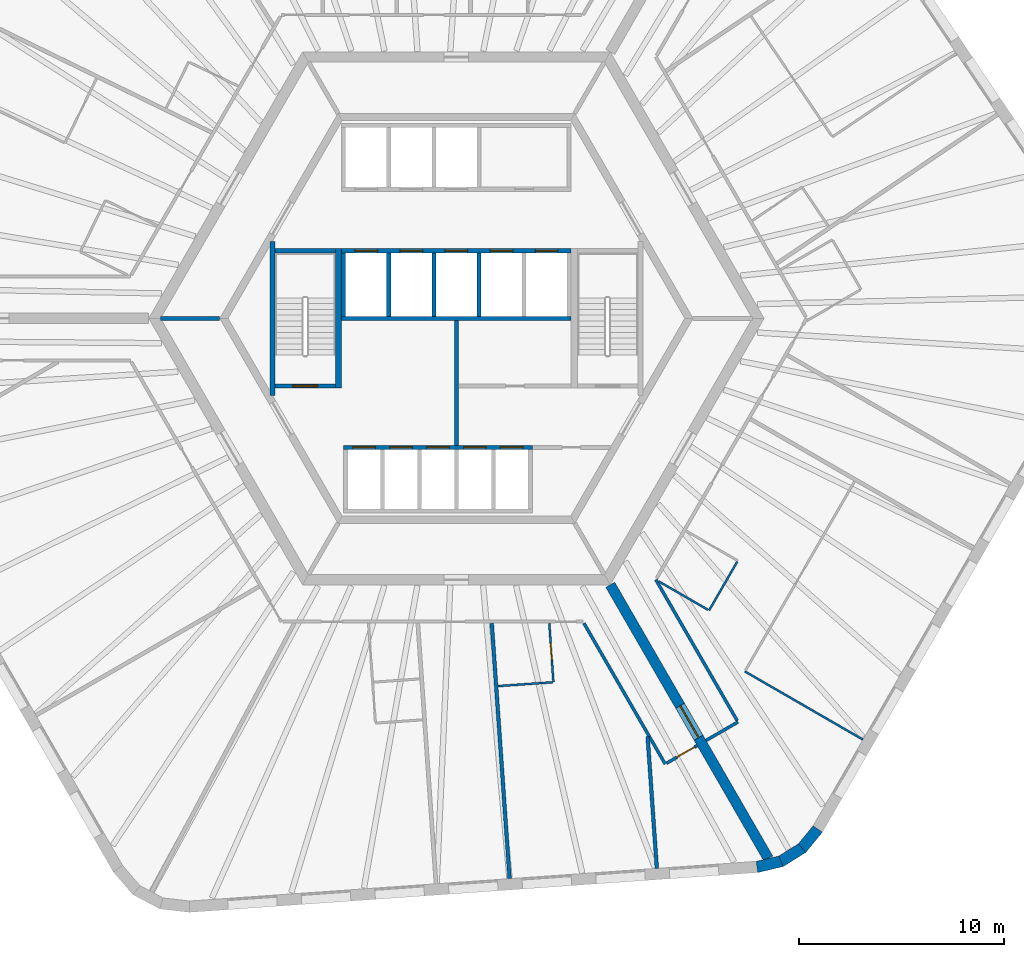
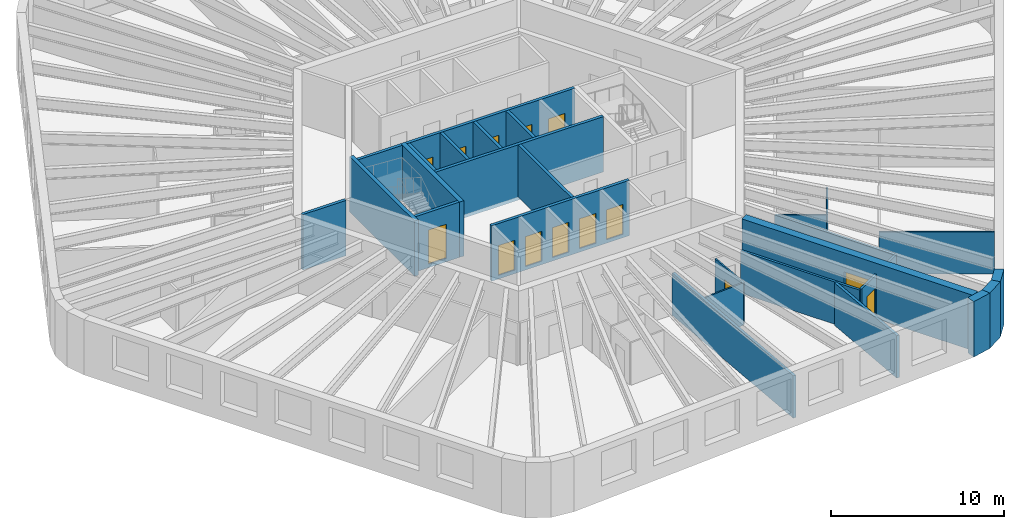
# One storey, part 4 of 9: 28 walls, 14 doors, 14 openings.
"""IFC4 building model written with IfcOpenShell, lengths in metres."""

from ifc_helpers import new_model, si_unit, direction, frame, frame_2d, origin, place, context, subcontext, project, spatial, polyline, rectangle, outline, extrude, material, layer, layer_set, type_object, element, fill, save


model = new_model("IFC4")

# Units and contexts
model_context = context("Model", 3, precision=1e-05, world=origin(), true_north=direction((0.0, 1.0)))
body_context = subcontext(model_context, "Body", "Model", "MODEL_VIEW")
ifc_project = project(units=[si_unit("LENGTHUNIT", "METRE"), si_unit("AREAUNIT", "SQUARE_METRE"), si_unit("VOLUMEUNIT", "CUBIC_METRE"), si_unit("PLANEANGLEUNIT", "RADIAN"), si_unit("MASSUNIT", "GRAM", prefix="KILO")], contexts=[model_context])

# Site, building, storey
site_placement = place(None, origin())
site = spatial("IfcSite", under=ifc_project, at=site_placement, CompositionType="ELEMENT")
building_placement = place(site_placement, origin())
building = spatial("IfcBuilding", under=site, at=building_placement, Name="Tarnside Tower", CompositionType="ELEMENT")
storey_placement = place(building_placement, frame((0.0, 0.0, 222.89990234375)))
storey = spatial("IfcBuildingStorey", under=building, at=storey_placement, Name="L53", CompositionType="ELEMENT", Elevation=222.89990234375)

# Wall, opening, door
ifc_material_1 = material(Name="Gypsum board partition on steel studs", Category="steel")
ifc_layer_1 = layer(ifc_material_1, 0.10009765625)
ifc_layer_set_1 = layer_set([ifc_layer_1], Name="Bathroom wall 100")
wall_type_1 = type_object("IfcWallType", Name="Bathroom wall 100", PredefinedType="PARTITIONING", material=ifc_layer_set_1)
wall_1_placement = place(storey_placement, frame((4.53076171875, -14.875, 0.0), z_axis=(0.0, 0.0, 1.0), x_axis=(0.069743215787, -0.997564977258, 0.0)))
wall_1 = element("IfcWall", 1, at=wall_1_placement, inside=storey, type_object=wall_type_1, Name="Bathroom wall 17078", PredefinedType="PARTITIONING", context=body_context, shape_type="SweptSolid", body=[
    extrude(rectangle(XDim=2.884521484375, YDim=0.10009765625, at=frame_2d((1.4423828125, 0.0))), origin(), (0.0, 0.0, 1.0), 2.98779296875),
])
opening_1_placement = place(wall_1_placement, frame((0.984619140625, 0.0, 0.0)))
opening_1 = element("IfcOpeningElement", 2, at=opening_1_placement, cuts=wall_1, Name="Opening D-B1", PredefinedType="OPENING", context=body_context, shape_type="SweptSolid", body=[
    extrude(rectangle(XDim=0.800048828125, YDim=2.10009765625, at=frame_2d((0.39990234375, 1.050048828125))), frame((0.0, 0.06005859375, 0.0), z_axis=(0.0, -1.0, 0.0), x_axis=(1.0, 0.0, 0.0)), (0.0, 0.0, 1.0), 0.1201171875),
])
ifc_material_2 = material(Name="Timber door leaf", Category="wood")
door_type_1 = type_object("IfcDoorType", Name="Bathroom door 800", OperationType="NOTDEFINED", PredefinedType="DOOR", material=ifc_material_2)
door_1_placement = place(opening_1_placement, origin())
door_1 = element("IfcDoor", 3, at=door_1_placement, inside=storey, type_object=door_type_1, Name="Bathroom door 17021", OperationType="SINGLE_SWING_RIGHT", OverallHeight=2.10009765625, OverallWidth=0.800048828125, PredefinedType="DOOR", context=body_context, shape_type="SweptSolid", body=[
    extrude(rectangle(XDim=0.800048828125, YDim=2.10009765625, at=frame_2d((0.39990234375, 1.050048828125))), frame((0.0, 0.02490234375, 0.0), z_axis=(0.0, -1.0, 0.0), x_axis=(1.0, 0.0, 0.0)), (0.0, 0.0, 1.0), 0.050048828125),
])
fill(opening_1, door_1)

# Walls
wall_2_placement = place(storey_placement, frame((4.68212890625, -17.756103515625, 0.0), z_axis=(0.0, 0.0, 1.0), x_axis=(-0.997564270717, -0.069753320981, 0.0)))
element("IfcWall", 4, at=wall_2_placement, inside=storey, type_object=wall_type_1, Name="Bathroom wall 17079", PredefinedType="PARTITIONING", context=body_context, shape_type="SweptSolid", body=[
    extrude(rectangle(XDim=2.66015625, YDim=0.10009765625, at=frame_2d((1.330078125, 0.0))), origin(), (0.0, 0.0, 1.0), 2.98779296875),
])
wall_3_placement = place(storey_placement, frame((13.701416015625, -11.868408203125, 0.0), z_axis=(0.0, 0.0, 1.0), x_axis=(-0.499996545922, -0.866027397988, 0.0)))
element("IfcWall", 5, at=wall_3_placement, inside=storey, type_object=wall_type_1, Name="Bathroom wall 17082", PredefinedType="PARTITIONING", context=body_context, shape_type="SweptSolid", body=[
    extrude(rectangle(XDim=2.75, YDim=0.10009765625, at=frame_2d((1.375, 0.0))), origin(), (0.0, 0.0, 1.0), 2.98779296875),
])
wall_4_placement = place(storey_placement, frame((12.283203125, -14.22509765625, 0.0), z_axis=(0.0, 0.0, 1.0), x_axis=(-0.866018616679, 0.500011755427, 0.0)))
element("IfcWall", 6, at=wall_4_placement, inside=storey, type_object=wall_type_1, Name="Bathroom wall 17083", PredefinedType="PARTITIONING", context=body_context, shape_type="SweptSolid", body=[
    extrude(rectangle(XDim=2.80029296875, YDim=0.10009765625, at=frame_2d((1.400146484375, 0.0))), origin(), (0.0, 0.0, 1.0), 2.98779296875),
])
ifc_material_3 = material(Name="Concrete C40/50", Category="concrete")
ifc_layer_2 = layer(ifc_material_3, 0.199951171875)
ifc_layer_set_2 = layer_set([ifc_layer_2], Name="Core room partition 200 C40/50")
wall_type_2 = type_object("IfcWallType", Name="Core room partition 200 C40/50", PredefinedType="PARTITIONING", material=ifc_layer_set_2)
wall_5_placement = place(storey_placement, frame((0.0, -6.199951171875, 0.0), z_axis=(0.0, 0.0, 1.0), x_axis=(0.0, 1.0, 0.0)))
element("IfcWall", 7, at=wall_5_placement, inside=storey, type_object=wall_type_2, Name="L53 core partition X0", PredefinedType="PARTITIONING", context=body_context, shape_type="SweptSolid", body=[
    extrude(rectangle(XDim=6.099853515625, YDim=0.199951171875, at=frame_2d((3.0498046875, 0.0))), origin(), (0.0, 0.0, 1.0), 3.650146484375),
])

# Wall, opening, door
ifc_material_4 = material(Name="Concrete C70/85", Category="concrete")
ifc_layer_3 = layer(ifc_material_4, 0.5)
ifc_layer_set_3 = layer_set([ifc_layer_3], Name="Core wall Z2 500 C70/85")
wall_type_3 = type_object("IfcWallType", Name="Core wall Z2 500 C70/85", PredefinedType="SHEAR", material=ifc_layer_set_3)
wall_6_placement = place(storey_placement, frame((7.505615234375, -13.0, -0.14990234375), z_axis=(0.0, 0.0, 1.0), x_axis=(0.499988271576, -0.866032175087, 0.0)))
wall_6 = element("IfcWall", 8, at=wall_6_placement, inside=storey, type_object=wall_type_3, Name="L53 spine wall 3", PredefinedType="SHEAR", context=body_context, shape_type="SweptSolid", body=[
    extrude(rectangle(XDim=15.423583984375, YDim=0.5, at=frame_2d((7.7119140625, 0.0))), origin(), (0.0, 0.0, 1.0), 3.89990234375),
])
opening_2_placement = place(wall_6_placement, frame((6.811767578125, 0.0, 0.14990234375)))
opening_2 = element("IfcOpeningElement", 9, at=opening_2_placement, cuts=wall_6, Name="Opening CD-SPN", PredefinedType="OPENING", context=body_context, shape_type="SweptSolid", body=[
    extrude(rectangle(XDim=1.800048828125, YDim=2.39990234375, at=frame_2d((0.89990234375, 1.199951171875))), frame((0.0, 0.260009765625, 0.0), z_axis=(0.0, -1.0, 0.0), x_axis=(1.0, 0.0, 0.0)), (0.0, 0.0, 1.0), 0.52001953125),
])
ifc_material_5 = material(Name="Steel fire door", Category="steel")
door_type_2 = type_object("IfcDoorType", Name="Spine passage double door FD60 1800x2400", OperationType="NOTDEFINED", PredefinedType="DOOR", material=ifc_material_5)
door_2_placement = place(opening_2_placement, origin())
door_2 = element("IfcDoor", 10, at=door_2_placement, inside=storey, type_object=door_type_2, Name="L53 spine passage door 3", OperationType="DOUBLE_DOOR_SINGLE_SWING", OverallHeight=2.39990234375, OverallWidth=1.800048828125, PredefinedType="DOOR", context=body_context, shape_type="SweptSolid", body=[
    extrude(rectangle(XDim=1.800048828125, YDim=2.39990234375, at=frame_2d((0.89990234375, 1.199951171875))), frame((0.0, 0.02490234375, 0.0), z_axis=(0.0, -1.0, 0.0), x_axis=(1.0, 0.0, 0.0)), (0.0, 0.0, 1.0), 0.050048828125),
])
fill(opening_2, door_2)

# Wall
ifc_layer_4 = layer(ifc_material_1, 0.14990234375)
ifc_layer_set_4 = layer_set([ifc_layer_4], Name="Corridor wall 150 EI 60")
wall_type_4 = type_object("IfcWallType", Name="Corridor wall 150 EI 60", PredefinedType="PARTITIONING", material=ifc_layer_set_4)
wall_7_placement = place(storey_placement, frame((6.220947265625, -14.875, 0.0), z_axis=(0.0, 0.0, 1.0), x_axis=(0.499989830942, -0.866031274813, 0.0)))
element("IfcWall", 11, at=wall_7_placement, inside=storey, type_object=wall_type_4, Name="Corridor wall 17027", PredefinedType="PARTITIONING", context=body_context, shape_type="SweptSolid", body=[
    extrude(rectangle(XDim=7.930419921875, YDim=0.14990234375, at=frame_2d((3.96533203125, 0.0))), origin(), (0.0, 0.0, 1.0), 2.98779296875),
])

# Wall, opening, door
wall_8_placement = place(storey_placement, frame((10.2509765625, -21.705322265625, 0.0), z_axis=(0.0, 0.0, 1.0), x_axis=(0.866013532718, 0.500020560727, 0.0)))
wall_8 = element("IfcWall", 12, at=wall_8_placement, inside=storey, type_object=wall_type_4, Name="Corridor wall 17030", PredefinedType="PARTITIONING", context=body_context, shape_type="SweptSolid", body=[
    extrude(rectangle(XDim=1.72509765625, YDim=0.14990234375, at=frame_2d((0.862548828125, 0.0))), origin(), (0.0, 0.0, 1.0), 2.98779296875),
])
opening_3_placement = place(wall_8_placement, frame((0.574951171875, 0.0, 0.0)))
opening_3 = element("IfcOpeningElement", 13, at=opening_3_placement, cuts=wall_8, Name="Opening D-E1", PredefinedType="OPENING", context=body_context, shape_type="SweptSolid", body=[
    extrude(rectangle(XDim=1.0, YDim=2.10009765625, at=frame_2d((0.5, 1.050048828125))), frame((0.0, 0.0849609375, 0.0), z_axis=(0.0, -1.0, 0.0), x_axis=(1.0, 0.0, 0.0)), (0.0, 0.0, 1.0), 0.169921875),
])
door_type_3 = type_object("IfcDoorType", Name="Unit entrance door 1000 FD30S", OperationType="NOTDEFINED", PredefinedType="DOOR", material=ifc_material_2)
door_3_placement = place(opening_3_placement, origin())
door_3 = element("IfcDoor", 14, at=door_3_placement, inside=storey, type_object=door_type_3, Name="Unit door 17022", OperationType="SINGLE_SWING_LEFT", OverallHeight=2.10009765625, OverallWidth=1.0, PredefinedType="DOOR", context=body_context, shape_type="SweptSolid", body=[
    extrude(rectangle(XDim=1.0, YDim=2.10009765625, at=frame_2d((0.5, 1.050048828125))), frame((0.0, 0.02490234375, 0.0), z_axis=(0.0, -1.0, 0.0), x_axis=(1.0, 0.0, 0.0)), (0.0, 0.0, 1.0), 0.050048828125),
])
fill(opening_3, door_3)

# Walls
wall_9_placement = place(storey_placement, frame((12.177978515625, -20.5927734375, 0.0), z_axis=(0.0, 0.0, 1.0), x_axis=(0.866047807691, 0.499961193289, 0.0)))
element("IfcWall", 15, at=wall_9_placement, inside=storey, type_object=wall_type_4, Name="Corridor wall 17031", PredefinedType="PARTITIONING", context=body_context, shape_type="SweptSolid", body=[
    extrude(rectangle(XDim=1.800048828125, YDim=0.14990234375, at=frame_2d((0.89990234375, 0.0))), origin(), (0.0, 0.0, 1.0), 2.98779296875),
])
wall_10_placement = place(storey_placement, frame((13.69921875, -19.6279296875, 0.0), z_axis=(0.0, 0.0, 1.0), x_axis=(-0.499997422768, 0.866026891745, 0.0)))
element("IfcWall", 16, at=wall_10_placement, inside=storey, type_object=wall_type_4, Name="Corridor wall 17032", PredefinedType="PARTITIONING", context=body_context, shape_type="SweptSolid", body=[
    extrude(rectangle(XDim=7.94189453125, YDim=0.14990234375, at=frame_2d((3.970947265625, 0.0))), origin(), (0.0, 0.0, 1.0), 2.98779296875),
])
ifc_layer_5 = layer(ifc_material_1, 0.179931640625)
ifc_layer_set_5 = layer_set([ifc_layer_5], Name="Demising wall 180 EI 60")
wall_type_5 = type_object("IfcWallType", Name="Demising wall 180 EI 60", PredefinedType="PARTITIONING", material=ifc_layer_set_5)
wall_11_placement = place(storey_placement, frame((2.59521484375, -27.33544921875, 0.0), z_axis=(0.0, 0.0, 1.0), x_axis=(-0.069757939761, 0.997563947745, 0.0)))
element("IfcWall", 17, at=wall_11_placement, inside=storey, type_object=wall_type_5, Name="Demising wall 17076", PredefinedType="PARTITIONING", context=body_context, shape_type="SweptSolid", body=[
    extrude(rectangle(XDim=12.490966796875, YDim=0.179931640625, at=frame_2d((6.24560546875, 0.0))), origin(), (0.0, 0.0, 1.0), 2.98779296875),
])
wall_12_placement = place(storey_placement, frame((9.777587890625, -26.833251953125, 0.0), z_axis=(0.0, 0.0, 1.0), x_axis=(-0.069733334443, 0.997565668048, 0.0)))
element("IfcWall", 18, at=wall_12_placement, inside=storey, type_object=wall_type_5, Name="Demising wall 17080", PredefinedType="PARTITIONING", context=body_context, shape_type="SweptSolid", body=[
    extrude(rectangle(XDim=6.44189453125, YDim=0.179931640625, at=frame_2d((3.220947265625, 0.0))), origin(), (0.0, 0.0, 1.0), 2.98779296875),
])

# Wall, openings, doors
ifc_layer_6 = layer(ifc_material_3, 0.199951171875)
ifc_layer_set_6 = layer_set([ifc_layer_6], Name="Lift shaft wall 200 C40/50")
wall_type_6 = type_object("IfcWallType", Name="Lift shaft wall 200 C40/50", PredefinedType="SHEAR", material=ifc_layer_set_6)
wall_13_placement = place(storey_placement, frame((-5.60009765625, 3.300048828125, -0.25), z_axis=(0.0, 0.0, 1.0), x_axis=(1.0, 0.0, 0.0)))
wall_13 = element("IfcWall", 19, at=wall_13_placement, inside=storey, type_object=wall_type_6, Name="L53 lift shaft front wall R2", PredefinedType="SHEAR", context=body_context, shape_type="SweptSolid", body=[
    extrude(rectangle(XDim=11.2001953125, YDim=0.199951171875, at=frame_2d((5.60009765625, 0.0))), origin(), (0.0, 0.0, 1.0), 3.900146484375),
])
opening_4_placement = place(wall_13_placement, frame((0.64990234375, 0.0, 0.25)))
opening_4 = element("IfcOpeningElement", 20, at=opening_4_placement, cuts=wall_13, Name="Opening LD", PredefinedType="OPENING", context=body_context, shape_type="SweptSolid", body=[
    extrude(rectangle(XDim=1.10009765625, YDim=2.10009765625, at=frame_2d((0.550048828125, 1.050048828125))), frame((0.0, 0.10986328125, 0.0), z_axis=(0.0, -1.0, 0.0), x_axis=(1.0, 0.0, 0.0)), (0.0, 0.0, 1.0), 0.219970703125),
])
opening_5_placement = place(wall_13_placement, frame((2.85009765625, 0.0, 0.25)))
opening_5 = element("IfcOpeningElement", 21, at=opening_5_placement, cuts=wall_13, Name="Opening LD", PredefinedType="OPENING", context=body_context, shape_type="SweptSolid", body=[
    extrude(rectangle(XDim=1.10009765625, YDim=2.10009765625, at=frame_2d((0.550048828125, 1.050048828125))), frame((0.0, 0.10986328125, 0.0), z_axis=(0.0, -1.0, 0.0), x_axis=(1.0, 0.0, 0.0)), (0.0, 0.0, 1.0), 0.219970703125),
])
opening_6_placement = place(wall_13_placement, frame((5.050048828125, 0.0, 0.25)))
opening_6 = element("IfcOpeningElement", 22, at=opening_6_placement, cuts=wall_13, Name="Opening LD", PredefinedType="OPENING", context=body_context, shape_type="SweptSolid", body=[
    extrude(rectangle(XDim=1.10009765625, YDim=2.10009765625, at=frame_2d((0.550048828125, 1.050048828125))), frame((0.0, 0.10986328125, 0.0), z_axis=(0.0, -1.0, 0.0), x_axis=(1.0, 0.0, 0.0)), (0.0, 0.0, 1.0), 0.219970703125),
])
opening_7_placement = place(wall_13_placement, frame((7.25, 0.0, 0.25)))
opening_7 = element("IfcOpeningElement", 23, at=opening_7_placement, cuts=wall_13, Name="Opening LD", PredefinedType="OPENING", context=body_context, shape_type="SweptSolid", body=[
    extrude(rectangle(XDim=1.10009765625, YDim=2.10009765625, at=frame_2d((0.550048828125, 1.050048828125))), frame((0.0, 0.10986328125, 0.0), z_axis=(0.0, -1.0, 0.0), x_axis=(1.0, 0.0, 0.0)), (0.0, 0.0, 1.0), 0.219970703125),
])
opening_8_placement = place(wall_13_placement, frame((9.449951171875, 0.0, 0.25)))
opening_8 = element("IfcOpeningElement", 24, at=opening_8_placement, cuts=wall_13, Name="Opening LD", PredefinedType="OPENING", context=body_context, shape_type="SweptSolid", body=[
    extrude(rectangle(XDim=1.10009765625, YDim=2.10009765625, at=frame_2d((0.550048828125, 1.050048828125))), frame((0.0, 0.10986328125, 0.0), z_axis=(0.0, -1.0, 0.0), x_axis=(1.0, 0.0, 0.0)), (0.0, 0.0, 1.0), 0.219970703125),
])
ifc_material_6 = material(Name="Stainless steel", Category="steel")
door_type_4 = type_object("IfcDoorType", Name="Lift landing door 1100x2100", OperationType="NOTDEFINED", PredefinedType="DOOR", material=ifc_material_6)
door_4_placement = place(opening_4_placement, origin())
door_4 = element("IfcDoor", 25, at=door_4_placement, inside=storey, type_object=door_type_4, Name="Mid-rise lift 4 landing door L53", OperationType="SLIDING_TO_LEFT", OverallHeight=2.10009765625, OverallWidth=1.10009765625, PredefinedType="DOOR", context=body_context, shape_type="SweptSolid", body=[
    extrude(rectangle(XDim=1.10009765625, YDim=2.10009765625, at=frame_2d((0.550048828125, 1.050048828125))), frame((0.0, 0.02490234375, 0.0), z_axis=(0.0, -1.0, 0.0), x_axis=(1.0, 0.0, 0.0)), (0.0, 0.0, 1.0), 0.050048828125),
])
fill(opening_4, door_4)
door_5_placement = place(opening_5_placement, origin())
door_5 = element("IfcDoor", 26, at=door_5_placement, inside=storey, type_object=door_type_4, Name="Mid-rise lift 5 landing door L53", OperationType="SLIDING_TO_LEFT", OverallHeight=2.10009765625, OverallWidth=1.10009765625, PredefinedType="DOOR", context=body_context, shape_type="SweptSolid", body=[
    extrude(rectangle(XDim=1.10009765625, YDim=2.10009765625, at=frame_2d((0.550048828125, 1.050048828125))), frame((0.0, 0.02490234375, 0.0), z_axis=(0.0, -1.0, 0.0), x_axis=(1.0, 0.0, 0.0)), (0.0, 0.0, 1.0), 0.050048828125),
])
fill(opening_5, door_5)
door_6_placement = place(opening_6_placement, origin())
door_6 = element("IfcDoor", 27, at=door_6_placement, inside=storey, type_object=door_type_4, Name="Mid-rise lift 6 landing door L53", OperationType="SLIDING_TO_LEFT", OverallHeight=2.10009765625, OverallWidth=1.10009765625, PredefinedType="DOOR", context=body_context, shape_type="SweptSolid", body=[
    extrude(rectangle(XDim=1.10009765625, YDim=2.10009765625, at=frame_2d((0.550048828125, 1.050048828125))), frame((0.0, 0.02490234375, 0.0), z_axis=(0.0, -1.0, 0.0), x_axis=(1.0, 0.0, 0.0)), (0.0, 0.0, 1.0), 0.050048828125),
])
fill(opening_6, door_6)
door_7_placement = place(opening_7_placement, origin())
door_7 = element("IfcDoor", 28, at=door_7_placement, inside=storey, type_object=door_type_4, Name="High sky-lobby shuttle 1 landing door L53", OperationType="SLIDING_TO_LEFT", OverallHeight=2.10009765625, OverallWidth=1.10009765625, PredefinedType="DOOR", context=body_context, shape_type="SweptSolid", body=[
    extrude(rectangle(XDim=1.10009765625, YDim=2.10009765625, at=frame_2d((0.550048828125, 1.050048828125))), frame((0.0, 0.02490234375, 0.0), z_axis=(0.0, -1.0, 0.0), x_axis=(1.0, 0.0, 0.0)), (0.0, 0.0, 1.0), 0.050048828125),
])
fill(opening_7, door_7)
door_8_placement = place(opening_8_placement, origin())
door_8 = element("IfcDoor", 29, at=door_8_placement, inside=storey, type_object=door_type_4, Name="Express sky-lobby shuttle 2 landing door L53", OperationType="SLIDING_TO_LEFT", OverallHeight=2.10009765625, OverallWidth=1.10009765625, PredefinedType="DOOR", context=body_context, shape_type="SweptSolid", body=[
    extrude(rectangle(XDim=1.10009765625, YDim=2.10009765625, at=frame_2d((0.550048828125, 1.050048828125))), frame((0.0, 0.02490234375, 0.0), z_axis=(0.0, -1.0, 0.0), x_axis=(1.0, 0.0, 0.0)), (0.0, 0.0, 1.0), 0.050048828125),
])
fill(opening_8, door_8)

# Walls
wall_14_placement = place(storey_placement, frame((-5.60009765625, 0.0, -0.25), z_axis=(0.0, 0.0, 1.0), x_axis=(1.0, 0.0, 0.0)))
element("IfcWall", 30, at=wall_14_placement, inside=storey, type_object=wall_type_6, Name="L53 lift shaft back wall R2", PredefinedType="SHEAR", context=body_context, shape_type="SweptSolid", body=[
    extrude(rectangle(XDim=11.2001953125, YDim=0.199951171875, at=frame_2d((5.60009765625, 0.0))), origin(), (0.0, 0.0, 1.0), 3.900146484375),
])
for number, where, z_axis, x_axis, name in (
    (31, (-5.5, 0.10009765625, -0.25), (0.0, 0.0, 1.0), (0.0, 1.0, 0.0), "L53 lift shaft partition R21"),
    (32, (-3.300048828125, 0.10009765625, -0.25), (0.0, 0.0, 1.0), (0.0, 1.0, 0.0), "L53 lift shaft partition R22"),
    (33, (-1.10009765625, 0.10009765625, -0.25), (0.0, 0.0, 1.0), (0.0, 1.0, 0.0), "L53 lift shaft partition R23"),
    (34, (1.10009765625, 0.10009765625, -0.25), (0.0, 0.0, 1.0), (0.0, 1.0, 0.0), "L53 lift shaft partition R24"),
):
    element("IfcWall", number, at=place(storey_placement, frame(where, z_axis=z_axis, x_axis=x_axis)), inside=storey, type_object=wall_type_6, Name=name, PredefinedType="SHEAR", context=body_context, shape_type="SweptSolid", body=[
        extrude(rectangle(XDim=3.099853515625, YDim=0.199951171875, at=frame_2d((1.5498046875, 0.0))), origin(), (0.0, 0.0, 1.0), 3.900146484375),
    ])

# Wall, openings, doors
wall_15_placement = place(storey_placement, frame((-5.5, -6.300048828125, -0.25), z_axis=(0.0, 0.0, 1.0), x_axis=(1.0, 0.0, 0.0)))
wall_15 = element("IfcWall", 35, at=wall_15_placement, inside=storey, type_object=wall_type_6, Name="L53 lift shaft front wall R4", PredefinedType="SHEAR", context=body_context, shape_type="SweptSolid", body=[
    extrude(rectangle(XDim=9.199951171875, YDim=0.199951171875, at=frame_2d((4.60009765625, 0.0))), origin(), (0.0, 0.0, 1.0), 3.900146484375),
])
opening_9_placement = place(wall_15_placement, frame((0.449951171875, 0.0, 0.25)))
opening_9 = element("IfcOpeningElement", 36, at=opening_9_placement, cuts=wall_15, Name="Opening LDF", PredefinedType="OPENING", context=body_context, shape_type="SweptSolid", body=[
    extrude(rectangle(XDim=1.10009765625, YDim=2.10009765625, at=frame_2d((0.550048828125, 1.050048828125))), frame((0.0, 0.10986328125, 0.0), z_axis=(0.0, -1.0, 0.0), x_axis=(1.0, 0.0, 0.0)), (0.0, 0.0, 1.0), 0.219970703125),
])
opening_10_placement = place(wall_15_placement, frame((2.25, 0.0, 0.25)))
opening_10 = element("IfcOpeningElement", 37, at=opening_10_placement, cuts=wall_15, Name="Opening LDF", PredefinedType="OPENING", context=body_context, shape_type="SweptSolid", body=[
    extrude(rectangle(XDim=1.10009765625, YDim=2.10009765625, at=frame_2d((0.550048828125, 1.050048828125))), frame((0.0, 0.10986328125, 0.0), z_axis=(0.0, -1.0, 0.0), x_axis=(1.0, 0.0, 0.0)), (0.0, 0.0, 1.0), 0.219970703125),
])
opening_11_placement = place(wall_15_placement, frame((4.050048828125, 0.0, 0.25)))
opening_11 = element("IfcOpeningElement", 38, at=opening_11_placement, cuts=wall_15, Name="Opening LDF", PredefinedType="OPENING", context=body_context, shape_type="SweptSolid", body=[
    extrude(rectangle(XDim=1.10009765625, YDim=2.10009765625, at=frame_2d((0.550048828125, 1.050048828125))), frame((0.0, 0.10986328125, 0.0), z_axis=(0.0, -1.0, 0.0), x_axis=(1.0, 0.0, 0.0)), (0.0, 0.0, 1.0), 0.219970703125),
])
opening_12_placement = place(wall_15_placement, frame((5.85009765625, 0.0, 0.25)))
opening_12 = element("IfcOpeningElement", 39, at=opening_12_placement, cuts=wall_15, Name="Opening LDF", PredefinedType="OPENING", context=body_context, shape_type="SweptSolid", body=[
    extrude(rectangle(XDim=1.10009765625, YDim=2.10009765625, at=frame_2d((0.550048828125, 1.050048828125))), frame((0.0, 0.10986328125, 0.0), z_axis=(0.0, -1.0, 0.0), x_axis=(1.0, 0.0, 0.0)), (0.0, 0.0, 1.0), 0.219970703125),
])
opening_13_placement = place(wall_15_placement, frame((7.64990234375, 0.0, 0.25)))
opening_13 = element("IfcOpeningElement", 40, at=opening_13_placement, cuts=wall_15, Name="Opening LDF", PredefinedType="OPENING", context=body_context, shape_type="SweptSolid", body=[
    extrude(rectangle(XDim=1.10009765625, YDim=2.10009765625, at=frame_2d((0.550048828125, 1.050048828125))), frame((0.0, 0.10986328125, 0.0), z_axis=(0.0, -1.0, 0.0), x_axis=(1.0, 0.0, 0.0)), (0.0, 0.0, 1.0), 0.219970703125),
])
door_type_5 = type_object("IfcDoorType", Name="Lift landing door 1100x2100 EI 120", OperationType="NOTDEFINED", PredefinedType="DOOR", material=ifc_material_6)
door_9_placement = place(opening_9_placement, origin())
door_9 = element("IfcDoor", 41, at=door_9_placement, inside=storey, type_object=door_type_5, Name="Firefighting lift 1 landing door L53", OperationType="SLIDING_TO_LEFT", OverallHeight=2.10009765625, OverallWidth=1.10009765625, PredefinedType="DOOR", context=body_context, shape_type="SweptSolid", body=[
    extrude(rectangle(XDim=1.10009765625, YDim=2.10009765625, at=frame_2d((0.550048828125, 1.050048828125))), frame((0.0, 0.02490234375, 0.0), z_axis=(0.0, -1.0, 0.0), x_axis=(1.0, 0.0, 0.0)), (0.0, 0.0, 1.0), 0.050048828125),
])
fill(opening_9, door_9)
door_10_placement = place(opening_10_placement, origin())
door_10 = element("IfcDoor", 42, at=door_10_placement, inside=storey, type_object=door_type_5, Name="Firefighting lift 2 landing door L53", OperationType="SLIDING_TO_LEFT", OverallHeight=2.10009765625, OverallWidth=1.10009765625, PredefinedType="DOOR", context=body_context, shape_type="SweptSolid", body=[
    extrude(rectangle(XDim=1.10009765625, YDim=2.10009765625, at=frame_2d((0.550048828125, 1.050048828125))), frame((0.0, 0.02490234375, 0.0), z_axis=(0.0, -1.0, 0.0), x_axis=(1.0, 0.0, 0.0)), (0.0, 0.0, 1.0), 0.050048828125),
])
fill(opening_10, door_10)
door_11_placement = place(opening_11_placement, origin())
door_11 = element("IfcDoor", 43, at=door_11_placement, inside=storey, type_object=door_type_5, Name="Firefighting lift 3 landing door L53", OperationType="SLIDING_TO_LEFT", OverallHeight=2.10009765625, OverallWidth=1.10009765625, PredefinedType="DOOR", context=body_context, shape_type="SweptSolid", body=[
    extrude(rectangle(XDim=1.10009765625, YDim=2.10009765625, at=frame_2d((0.550048828125, 1.050048828125))), frame((0.0, 0.02490234375, 0.0), z_axis=(0.0, -1.0, 0.0), x_axis=(1.0, 0.0, 0.0)), (0.0, 0.0, 1.0), 0.050048828125),
])
fill(opening_11, door_11)
door_12_placement = place(opening_12_placement, origin())
door_12 = element("IfcDoor", 44, at=door_12_placement, inside=storey, type_object=door_type_5, Name="Firefighting lift 4 landing door L53", OperationType="SLIDING_TO_LEFT", OverallHeight=2.10009765625, OverallWidth=1.10009765625, PredefinedType="DOOR", context=body_context, shape_type="SweptSolid", body=[
    extrude(rectangle(XDim=1.10009765625, YDim=2.10009765625, at=frame_2d((0.550048828125, 1.050048828125))), frame((0.0, 0.02490234375, 0.0), z_axis=(0.0, -1.0, 0.0), x_axis=(1.0, 0.0, 0.0)), (0.0, 0.0, 1.0), 0.050048828125),
])
fill(opening_12, door_12)
door_13_placement = place(opening_13_placement, origin())
door_13 = element("IfcDoor", 45, at=door_13_placement, inside=storey, type_object=door_type_5, Name="Firefighting lift 5 landing door L53", OperationType="SLIDING_TO_LEFT", OverallHeight=2.10009765625, OverallWidth=1.10009765625, PredefinedType="DOOR", context=body_context, shape_type="SweptSolid", body=[
    extrude(rectangle(XDim=1.10009765625, YDim=2.10009765625, at=frame_2d((0.550048828125, 1.050048828125))), frame((0.0, 0.02490234375, 0.0), z_axis=(0.0, -1.0, 0.0), x_axis=(1.0, 0.0, 0.0)), (0.0, 0.0, 1.0), 0.050048828125),
])
fill(opening_13, door_13)

# Walls
wall_16_placement = place(storey_placement, frame((-11.547119140625, 0.0, -0.14990234375), z_axis=(0.0, 0.0, 1.0), x_axis=(-1.0, 0.0, 0.0)))
element("IfcWall", 46, at=wall_16_placement, inside=storey, type_object=wall_type_6, Name="L53 core partition AR180", PredefinedType="SHEAR", context=body_context, shape_type="SweptSolid", body=[
    extrude(rectangle(XDim=2.88671875, YDim=0.199951171875, at=frame_2d((1.443359375, 0.0))), origin(), (0.0, 0.0, 1.0), 3.89990234375),
])
wall_17_placement = place(storey_placement, frame((-8.85009765625, 3.300048828125, -0.25), z_axis=(0.0, 0.0, 1.0), x_axis=(1.0, 0.0, 0.0)))
element("IfcWall", 47, at=wall_17_placement, inside=storey, type_object=wall_type_6, Name="L53 stair 2 enclosure cap wall n", PredefinedType="SHEAR", context=body_context, shape_type="SweptSolid", body=[
    extrude(rectangle(XDim=2.9501953125, YDim=0.199951171875, at=frame_2d((1.47509765625, 0.0))), origin(), (0.0, 0.0, 1.0), 3.900146484375),
])

# Wall, opening, door
wall_18_placement = place(storey_placement, frame((-8.85009765625, -3.300048828125, -0.25), z_axis=(0.0, 0.0, 1.0), x_axis=(1.0, 0.0, 0.0)))
wall_18 = element("IfcWall", 48, at=wall_18_placement, inside=storey, type_object=wall_type_6, Name="L53 stair 2 enclosure cap wall s", PredefinedType="SHEAR", context=body_context, shape_type="SweptSolid", body=[
    extrude(rectangle(XDim=2.9501953125, YDim=0.199951171875, at=frame_2d((1.47509765625, 0.0))), origin(), (0.0, 0.0, 1.0), 3.900146484375),
])
opening_14_placement = place(wall_18_placement, frame((0.875, 0.0, 0.25)))
opening_14 = element("IfcOpeningElement", 49, at=opening_14_placement, cuts=wall_18, Name="Opening CD-STR", PredefinedType="OPENING", context=body_context, shape_type="SweptSolid", body=[
    extrude(rectangle(XDim=1.199951171875, YDim=2.39990234375, at=frame_2d((0.60009765625, 1.199951171875))), frame((0.0, 0.10986328125, 0.0), z_axis=(0.0, -1.0, 0.0), x_axis=(1.0, 0.0, 0.0)), (0.0, 0.0, 1.0), 0.219970703125),
])
door_type_6 = type_object("IfcDoorType", Name="Stair door FD60S 1200x2400", OperationType="NOTDEFINED", PredefinedType="DOOR", material=ifc_material_5)
door_14_placement = place(opening_14_placement, origin())
door_14 = element("IfcDoor", 50, at=door_14_placement, inside=storey, type_object=door_type_6, Name="L53 stair 2 door", OperationType="SINGLE_SWING_LEFT", OverallHeight=2.39990234375, OverallWidth=1.199951171875, PredefinedType="DOOR", context=body_context, shape_type="SweptSolid", body=[
    extrude(rectangle(XDim=1.199951171875, YDim=2.39990234375, at=frame_2d((0.60009765625, 1.199951171875))), frame((0.0, 0.02490234375, 0.0), z_axis=(0.0, -1.0, 0.0), x_axis=(1.0, 0.0, 0.0)), (0.0, 0.0, 1.0), 0.050048828125),
])
fill(opening_14, door_14)

# Walls
ifc_layer_7 = layer(ifc_material_1, 0.10009765625)
ifc_layer_set_7 = layer_set([ifc_layer_7], Name="Partition 100")
wall_type_7 = type_object("IfcWallType", Name="Partition 100", PredefinedType="PARTITIONING", material=ifc_layer_set_7)
wall_19_placement = place(storey_placement, frame((19.831298828125, -20.551025390625, 0.0), z_axis=(0.0, 0.0, 1.0), x_axis=(-0.866027239912, 0.49999681972, 0.0)))
element("IfcWall", 51, at=wall_19_placement, inside=storey, type_object=wall_type_7, Name="Partition wall 17084", PredefinedType="PARTITIONING", context=body_context, shape_type="SweptSolid", body=[
    extrude(rectangle(XDim=6.64990234375, YDim=0.10009765625, at=frame_2d((3.324951171875, 0.0))), origin(), (0.0, 0.0, 1.0), 2.98779296875),
])
ifc_layer_8 = layer(ifc_material_3, 0.25)
ifc_layer_set_8 = layer_set([ifc_layer_8], Name="Stair enclosure wall 250 C40/50")
wall_type_8 = type_object("IfcWallType", Name="Stair enclosure wall 250 C40/50", PredefinedType="SHEAR", material=ifc_layer_set_8)
wall_20_placement = place(storey_placement, frame((-8.97509765625, -3.7548828125, -0.25), z_axis=(0.0, 0.0, 1.0), x_axis=(0.0, 1.0, 0.0)))
element("IfcWall", 52, at=wall_20_placement, inside=storey, type_object=wall_type_8, Name="L53 stair 2 enclosure wall outer", PredefinedType="SHEAR", context=body_context, shape_type="SweptSolid", body=[
    extrude(rectangle(XDim=7.509765625, YDim=0.25, at=frame_2d((3.7548828125, 0.0))), origin(), (0.0, 0.0, 1.0), 3.900146484375),
])
ifc_layer_9 = layer(ifc_material_3, 0.300048828125)
ifc_layer_set_9 = layer_set([ifc_layer_9], Name="Stair enclosure wall 300 C40/50")
wall_type_9 = type_object("IfcWallType", Name="Stair enclosure wall 300 C40/50", PredefinedType="SHEAR", material=ifc_layer_set_9)
wall_21_placement = place(storey_placement, frame((-5.75, -3.39990234375, -0.25), z_axis=(0.0, 0.0, 1.0), x_axis=(0.0, 1.0, 0.0)))
element("IfcWall", 53, at=wall_21_placement, inside=storey, type_object=wall_type_9, Name="L53 stair 2 enclosure wall inner", PredefinedType="SHEAR", context=body_context, shape_type="SweptSolid", body=[
    extrude(rectangle(XDim=6.7998046875, YDim=0.300048828125, at=frame_2d((3.39990234375, 0.0))), origin(), (0.0, 0.0, 1.0), 3.900146484375),
])
ifc_material_7 = material(Name="Facing brick", Category="masonry")
ifc_layer_10 = layer(ifc_material_7, 0.10205078125)
ifc_material_8 = material(Name="Concrete C60/75 precast", Category="concrete")
ifc_layer_11 = layer(ifc_material_8, 0.347900390625)
ifc_material_9 = material(Name="Mineral wool insulation")
ifc_layer_12 = layer(ifc_material_9, 0.10009765625)
ifc_layer_set_10 = layer_set([ifc_layer_10, ifc_layer_11, ifc_layer_12], Name="Tube wall 550 brick faced")
wall_type_10 = type_object("IfcWallType", Name="Tube wall 550 brick faced", PredefinedType="SOLIDWALL", material=ifc_layer_set_10)
wall_22_placement = place(storey_placement, frame((14.663818359375, -26.767333984375, -0.14990234375), z_axis=(0.0, 0.0, 1.0), x_axis=(0.973063591128, 0.230536868247, 0.0)))
element("IfcWall", 54, at=wall_22_placement, inside=storey, type_object=wall_type_10, Name="Tube wall L53 F4 chord 13", PredefinedType="SOLIDWALL", context=body_context, shape_type="SweptSolid", body=[
    extrude(outline(polyline([(-0.0224609375, -0.27490234375), (1.25341796875, -0.27490234375), (1.1630859375, 0.27490234375), (0.0224609375, 0.27490234375), (-0.0224609375, -0.27490234375)])), origin(), (0.0, 0.0, 1.0), 3.89990234375),
])
wall_23_placement = place(storey_placement, frame((15.839599609375, -26.48876953125, -0.14990234375), z_axis=(0.0, 0.0, 1.0), x_axis=(0.848009655012, 0.52998077796, 0.0)))
element("IfcWall", 55, at=wall_23_placement, inside=storey, type_object=wall_type_10, Name="Tube wall L53 F4 chord 14", PredefinedType="SOLIDWALL", context=body_context, shape_type="SweptSolid", body=[
    extrude(outline(polyline([(-0.045166015625, -0.27490234375), (1.25341796875, -0.27490234375), (1.1630859375, 0.27490234375), (0.045166015625, 0.27490234375), (-0.045166015625, -0.27490234375)])), origin(), (0.0, 0.0, 1.0), 3.89990234375),
])
wall_24_placement = place(storey_placement, frame((16.8642578125, -25.848388671875, -0.14990234375), z_axis=(0.0, 0.0, 1.0), x_axis=(0.633842757806, 0.773461930787, 0.0)))
element("IfcWall", 56, at=wall_24_placement, inside=storey, type_object=wall_type_10, Name="Tube wall L53 F4 chord 15", PredefinedType="SOLIDWALL", context=body_context, shape_type="SweptSolid", body=[
    extrude(outline(polyline([(-0.045166015625, -0.27490234375), (1.230712890625, -0.27490234375), (1.185791015625, 0.27490234375), (0.045166015625, 0.27490234375), (-0.045166015625, -0.27490234375)])), origin(), (0.0, 0.0, 1.0), 3.89990234375),
])

save(model, "model.ifc")
